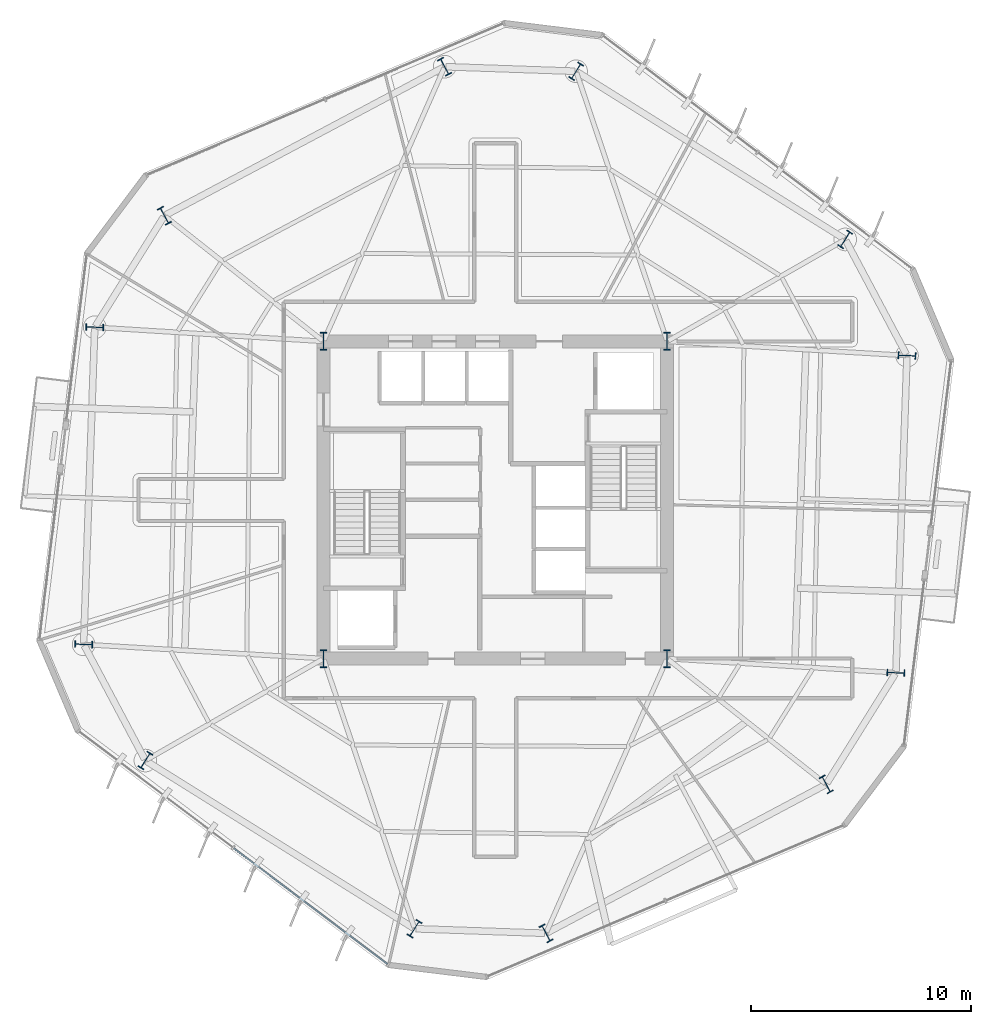
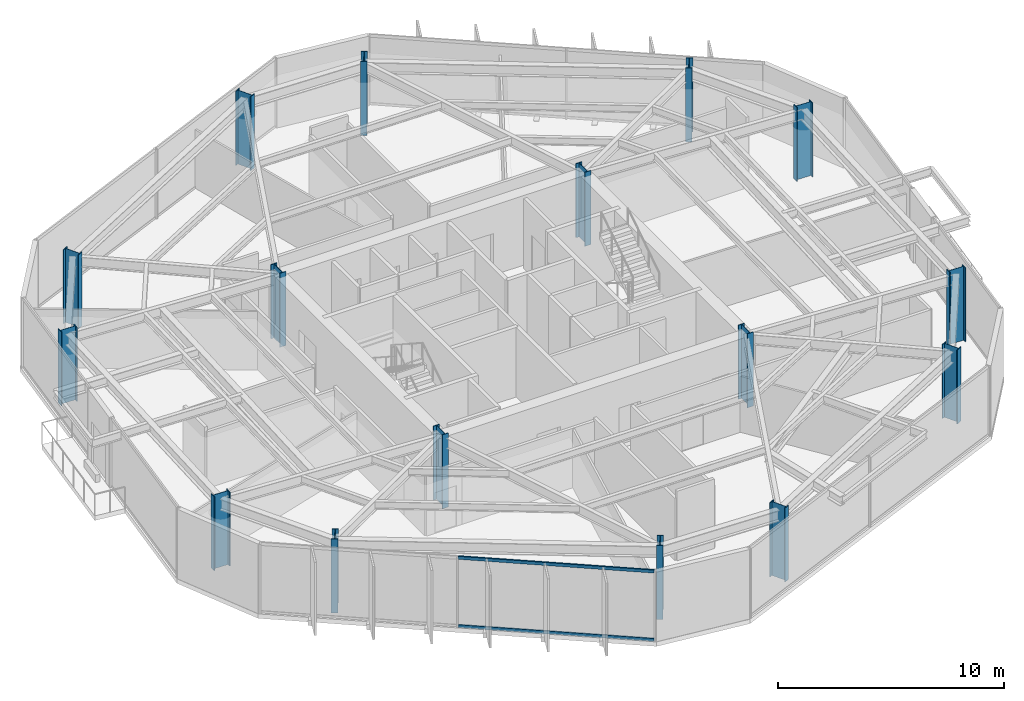
# One storey, part 1 of 11: 16 columns, 2 members, 1 element without a shape of its own.
"""IFC4 building model written with IfcOpenShell, lengths in metres."""

from ifc_helpers import new_model, si_unit, direction, frame, origin, origin_2d, place, context, subcontext, project, spatial, rectangle, i_section, extrude, material, layer, layer_set, material_profile, profile_set, type_object, element, aggregate, save


model = new_model("IFC4")

# Units and contexts
model_context = context("Model", 3, precision=1e-05, world=origin(), true_north=direction((0.0, 1.0)))
body_context = subcontext(model_context, "Body", "Model", "MODEL_VIEW")
ifc_project = project(units=[si_unit("LENGTHUNIT", "METRE"), si_unit("AREAUNIT", "SQUARE_METRE"), si_unit("VOLUMEUNIT", "CUBIC_METRE"), si_unit("PLANEANGLEUNIT", "RADIAN"), si_unit("MASSUNIT", "GRAM", prefix="KILO")], contexts=[model_context])

# Site, building, storey
site_placement = place(None, origin())
site = spatial("IfcSite", under=ifc_project, at=site_placement, CompositionType="ELEMENT")
building_placement = place(site_placement, origin())
building = spatial("IfcBuilding", under=site, at=building_placement, Name="Kranzbogen Civic Tower", CompositionType="ELEMENT")
storey_placement = place(building_placement, frame((0.0, 0.0, 114.39990234375)))
storey = spatial("IfcBuildingStorey", under=building, at=storey_placement, Name="L27", CompositionType="ELEMENT", Elevation=114.39990234375)

# Columns
ifc_material_1 = material(Name="Steel S460", Category="steel")
ifc_material_profile_1 = material_profile(ifc_material_1, i_section(OverallWidth=0.302978515625, OverallDepth=0.81396484375, WebThickness=0.02099609375, FlangeThickness=0.0400390625, at=origin_2d()), Name="HEM 800")
ifc_profile_set_1 = profile_set([ifc_material_profile_1], Name="Steel S460")
column_type = type_object("IfcColumnType", Name="Structural Column HEM 800", PredefinedType="COLUMN", material=ifc_profile_set_1)
for number, where, z_axis, x_axis, name in (
    (1, (17.199951171875, 17.800048828125, 0.0), (0.0, 0.0, 1.0), (1.0, 0.0, 0.0), "L27 composite core corner column 1"),
    (2, (32.800048828125, 17.800048828125, 0.0), (0.0, 0.0, 1.0), (1.0, 0.0, 0.0), "L27 composite core corner column 2"),
    (3, (32.800048828125, 32.199951171875, 0.0), (0.0, 0.0, 1.0), (1.0, 0.0, 0.0), "L27 composite core corner column 3"),
    (4, (17.199951171875, 32.199951171875, 0.0), (0.0, 0.0, 1.0), (1.0, 0.0, 0.0), "L27 composite core corner column 4"),
    (5, (40.885986328125, 36.8291015625, 0.0), (0.0, 0.0, 1.0), (-0.848048096156, 0.529919264233, 0.0), "L27 tower perimeter tube column 01"),
    (6, (28.66796875, 44.464111328125, 0.0), (0.0, 0.0, 1.0), (-0.848048096156, 0.529919264233, 0.0), "L27 tower perimeter tube column 02"),
    (7, (22.698974609375, 44.672119140625, 0.0), (0.0, 0.0, 1.0), (0.882947592859, 0.469471562786, 0.0), "L27 tower perimeter tube column 03"),
    (8, (9.97705078125, 37.907958984375, 0.0), (0.0, 0.0, 1.0), (0.882947592859, 0.469471562786, 0.0), "L27 tower perimeter tube column 04"),
    (9, (6.81298828125, 32.843994140625, 0.0), (0.0, 0.0, 1.0), (0.034899496703, 0.999390827019, 0.0), "L27 tower perimeter tube column 05"),
    (10, (6.31005859375, 18.444091796875, 0.0), (0.0, 0.0, 1.0), (0.034899496703, 0.999390827019, 0.0), "L27 tower perimeter tube column 06"),
    (11, (9.114013671875, 13.1708984375, 0.0), (0.0, 0.0, 1.0), (-0.848048096156, 0.529919264233, 0.0), "L27 tower perimeter tube column 07"),
    (12, (21.33203125, 5.535888671875, 0.0), (0.0, 0.0, 1.0), (-0.848048096156, 0.529919264233, 0.0), "L27 tower perimeter tube column 08"),
    (13, (27.301025390625, 5.327880859375, 0.0), (0.0, 0.0, 1.0), (0.882947592859, 0.469471562786, 0.0), "L27 tower perimeter tube column 09"),
    (14, (40.02294921875, 12.092041015625, 0.0), (0.0, 0.0, 1.0), (0.882947592859, 0.469471562786, 0.0), "L27 tower perimeter tube column 10"),
    (15, (43.18701171875, 17.156005859375, 0.0), (0.0, 0.0, 1.0), (0.034899496703, 0.999390827019, 0.0), "L27 tower perimeter tube column 11"),
    (16, (43.68994140625, 31.555908203125, 0.0), (0.0, 0.0, 1.0), (0.034899496703, 0.999390827019, 0.0), "L27 tower perimeter tube column 12"),
):
    element("IfcColumn", number, at=place(storey_placement, frame(where, z_axis=z_axis, x_axis=x_axis)), inside=storey, type_object=column_type, Name=name, PredefinedType="COLUMN", context=body_context, shape_type="SweptSolid", body=[
        extrude(i_section(OverallWidth=0.302978515625, OverallDepth=0.81396484375, WebThickness=0.02099609375, FlangeThickness=0.0400390625, at=origin_2d()), origin(), (0.0, 0.0, 1.0), 4.0),
    ])

# Curtain wall, members
ifc_material_2 = material(Name="Pale Anodised Aluminium", Category="aluminium")
ifc_layer = layer(ifc_material_2, 0.219970703125, Name="Pale Anodised Aluminium")
ifc_layer_set = layer_set([ifc_layer], Name="Pale Anodised Aluminium")
curtain_wall_type = type_object("IfcCurtainWallType", Name="Zone 2 Stick Curtain Wall System CW-03", PredefinedType="USERDEFINED", material=ifc_layer_set)
curtain_wall_placement = place(storey_placement, origin())
curtain_wall = element("IfcCurtainWall", 17, at=curtain_wall_placement, inside=storey, type_object=curtain_wall_type, Name="L27 curtain wall CW-L27-F4", ObjectType="STICK CURTAIN WALL", PredefinedType="USERDEFINED")
ifc_material_profile_2 = material_profile(ifc_material_2, rectangle(XDim=0.074951171875, YDim=0.1650390625, at=origin_2d()), Name="ALU-T 75x165")
ifc_profile_set_2 = profile_set([ifc_material_profile_2], Name="Pale Anodised Aluminium")
member_type = type_object("IfcMemberType", Name="Curtain Wall Transom ALU-T 75x165", PredefinedType="USERDEFINED", material=ifc_profile_set_2)
member_1_placement = place(storey_placement, frame((13.125, 9.19091796875, 0.030029296875), z_axis=(0.798607415578, -0.601852303961, 0.0), x_axis=(0.601852303961, 0.798607415578, 0.0)))
member_1 = element("IfcMember", 18, at=member_1_placement, type_object=member_type, Name="CW-03 transom 2.1", ObjectType="TRANSOM", PredefinedType="USERDEFINED", context=body_context, shape_type="SweptSolid", body=[
    extrude(rectangle(XDim=0.074951171875, YDim=0.1650390625, at=origin_2d()), origin(), (0.0, 0.0, 1.0), 8.744140625),
])
member_2_placement = place(storey_placement, frame((13.125, 9.19091796875, 3.72998046875), z_axis=(0.798607415578, -0.601852303961, 0.0), x_axis=(0.601852303961, 0.798607415578, 0.0)))
member_2 = element("IfcMember", 19, at=member_2_placement, type_object=member_type, Name="CW-03 transom 2.2", ObjectType="TRANSOM", PredefinedType="USERDEFINED", context=body_context, shape_type="SweptSolid", body=[
    extrude(rectangle(XDim=0.074951171875, YDim=0.1650390625, at=origin_2d()), origin(), (0.0, 0.0, 1.0), 8.744140625),
])
aggregate(curtain_wall, [member_1, member_2])

save(model, "model.ifc")
